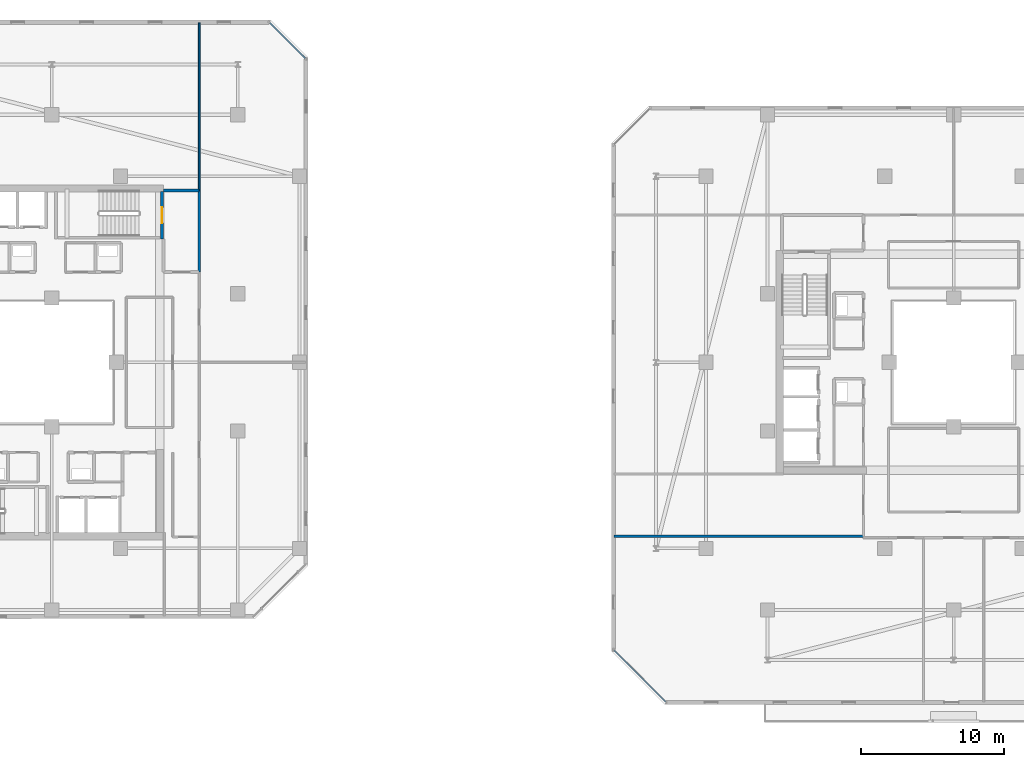
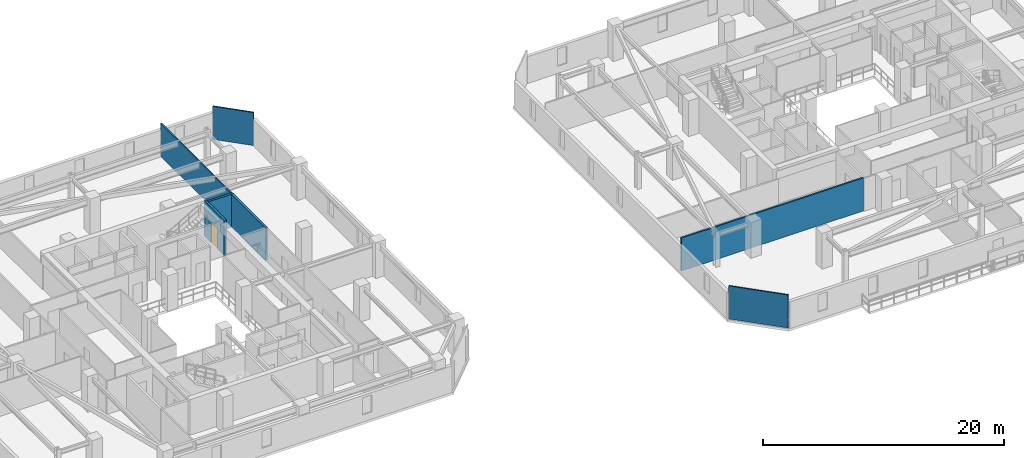
# One storey, part 22 of 33: 7 walls, 1 door, 1 opening.
"""IFC4 building model written with IfcOpenShell, lengths in metres."""

import ifcopenshell
import ifcopenshell.guid

model = None  # the IFC model being written
_history = None  # IfcOwnerHistory: only IFC2X3 demands one
_inside = {}  # id of a spatial element -> (the spatial element, [elements in it])
_under = {}  # id of a project, library or spatial element -> (it, [spatial elements below it])
_declared = {}  # id of a project -> (the project, [libraries it declares])
_typed = {}  # id of a type object -> (the type object, [elements of that type])
_made_of = {}  # id of a material, layer set ... -> (it, [elements and type objects made of it])


def new_model(schema):
    """Start an empty IFC model of exactly this schema.

    Asked for "IFC4X3", IfcOpenShell would pick the latest addendum, in which some entities
    have other attributes; the version numbers below select the first issue.
    IFC2X3 requires an IfcOwnerHistory on every rooted entity: one is made here for all.
    """
    global model, _history
    if schema == "IFC4X3":
        model = ifcopenshell.file(schema_version=(4, 3, 0, 0))
    else:
        model = ifcopenshell.file(schema=schema)
    _inside.clear()
    _under.clear()
    _declared.clear()
    _typed.clear()
    _made_of.clear()
    _history = None
    if model.schema == "IFC2X3":
        org = make("IfcOrganization", Name="unknown")
        user = make(
            "IfcPersonAndOrganization",
            ThePerson=make("IfcPerson", FamilyName="unknown"),
            TheOrganization=org,
        )
        app = make(
            "IfcApplication",
            ApplicationDeveloper=org,
            Version="unknown",
            ApplicationFullName="unknown",
            ApplicationIdentifier="unknown",
        )
        _history = make(
            "IfcOwnerHistory",
            OwningUser=user,
            OwningApplication=app,
            ChangeAction="ADDED",
            CreationDate=0,
        )
    return model


def make(cls, **values):
    """One entity of the class cls with the attributes given. An attribute that is None is left unset."""
    return model.create_entity(
        cls, **{name: value for name, value in values.items() if value is not None}
    )


def rooted(cls, **values):
    """An entity with a GlobalId (a new one), such as an element, a storey or a relation."""
    return make(cls, GlobalId=ifcopenshell.guid.new(), OwnerHistory=_history, **values)


def si_unit(unit_type, name, prefix=None):
    """IfcSIUnit, for example si_unit("LENGTHUNIT", "METRE", prefix="MILLI")."""
    return make("IfcSIUnit", UnitType=unit_type, Prefix=prefix, Name=name)


def assignment(units):
    """IfcUnitAssignment: the units of a project."""
    return None if units is None else make("IfcUnitAssignment", Units=units)


def point(xyz):
    """IfcCartesianPoint."""
    return None if xyz is None else make("IfcCartesianPoint", Coordinates=xyz)


def direction(xyz):
    """IfcDirection."""
    return None if xyz is None else make("IfcDirection", DirectionRatios=xyz)


def frame(location, z_axis=None, x_axis=None):
    """IfcAxis2Placement3D, a coordinate frame: its origin and axes. An axis left out is left unset."""
    return make(
        "IfcAxis2Placement3D",
        Location=point(location),
        Axis=direction(z_axis),
        RefDirection=direction(x_axis),
    )


def frame_2d(location, x_axis=None):
    """IfcAxis2Placement2D, a coordinate frame in the plane: its origin and x axis."""
    return make(
        "IfcAxis2Placement2D", Location=point(location), RefDirection=direction(x_axis)
    )


def origin():
    """The frame at (0, 0, 0) with its axes left unset."""
    return frame((0.0, 0.0, 0.0))


def place(relative_to, where):
    """IfcLocalPlacement: puts the frame where relative to a parent placement (None: the world)."""
    return make(
        "IfcLocalPlacement", PlacementRelTo=relative_to, RelativePlacement=where
    )


def context(
    kind, dimensions, precision=None, world=None, true_north=None, identifier=None
):
    """IfcGeometricRepresentationContext, for example the 3D "Model" context."""
    return make(
        "IfcGeometricRepresentationContext",
        ContextIdentifier=identifier,
        ContextType=kind,
        CoordinateSpaceDimension=dimensions,
        Precision=precision,
        WorldCoordinateSystem=world,
        TrueNorth=true_north,
    )


def subcontext(parent, identifier, kind, view, scale=None):
    """IfcGeometricRepresentationSubContext, for example "Body" below "Model"."""
    return make(
        "IfcGeometricRepresentationSubContext",
        ContextIdentifier=identifier,
        ContextType=kind,
        ParentContext=parent,
        TargetScale=scale,
        TargetView=view,
    )


def project(units=None, contexts=None):
    """IfcProject with its units and contexts."""
    return rooted(
        "IfcProject",
        Name="project",
        RepresentationContexts=contexts,
        UnitsInContext=assignment(units),
    )


def spatial(cls, under=None, at=None, **own):
    """A site, building, storey or space (cls), placed at a placement, below another one or the project."""
    s = rooted(cls, ObjectPlacement=at, **own)
    if under is not None:
        _under.setdefault(under.id(), (under, []))[1].append(s)
    return s


def profile(cls, at=None, kind="AREA", **sizes):
    """A parametric profile (cls). Its sizes go by their IFC names, for example OverallWidth=200.0."""
    return make(cls, ProfileType=kind, Position=at, **sizes)


def rectangle(**sizes):
    """IfcRectangleProfileDef."""
    return profile("IfcRectangleProfileDef", **sizes)


def extrude(swept, where, along, depth):
    """IfcExtrudedAreaSolid: the profile swept, set in the frame where, extruded along a direction by depth."""
    return make(
        "IfcExtrudedAreaSolid",
        SweptArea=swept,
        Position=where,
        ExtrudedDirection=direction(along),
        Depth=depth,
    )


def shape(context_of_items, identifier, shape_type, items):
    """IfcShapeRepresentation: the items that make up one representation, for example the "Body"."""
    return make(
        "IfcShapeRepresentation",
        ContextOfItems=context_of_items,
        RepresentationIdentifier=identifier,
        RepresentationType=shape_type,
        Items=items,
    )


def material(Name=None, Category=None):
    """IfcMaterial."""
    return make("IfcMaterial", Name=Name, Category=Category)


def layer(
    of_material, thickness, ventilated=None, Name=None, Category=None, Priority=None
):
    """IfcMaterialLayer: one layer of a wall or slab, of a material (None: an air gap)."""
    return make(
        "IfcMaterialLayer",
        Material=of_material,
        LayerThickness=thickness,
        IsVentilated=ventilated,
        Name=Name,
        Category=Category,
        Priority=Priority,
    )


def layer_set(layers, Name=None):
    """IfcMaterialLayerSet."""
    return make("IfcMaterialLayerSet", MaterialLayers=layers, LayerSetName=Name)


def made_of(thing, what):
    """Note that an element or type object is made of a material, layer set ...; save() writes the relation."""
    if what is not None:
        _made_of.setdefault(what.id(), (what, []))[1].append(thing)
    return thing


def type_object(cls, material=None, **own):
    """A type object (cls), such as IfcWallType, which elements share."""
    return made_of(rooted(cls, **own), material)


def element(
    cls,
    number,
    at=None,
    inside=None,
    cuts=None,
    type_object=None,
    material=None,
    context=None,
    identifier="Body",
    shape_type=None,
    held_by="IfcProductDefinitionShape",
    body=None,
    shapes=None,
    **own,
):
    """One element of the class cls, such as IfcWall. Its Tag is "e" and its number.

    at: its placement. inside: the storey or other place that contains it. cuts: it is an
    opening in that element (IfcRelVoidsElement). A single representation is given by context,
    identifier, shape_type and body (its items); several are given by shapes. held_by: the class
    of the entity that holds the representations. save() writes the other relations.
    """
    e = rooted(cls, Tag="e%d" % number, ObjectPlacement=at, **own)
    if body is not None:
        shapes = [shape(context, identifier, shape_type, body)]
    if shapes is not None:
        e.Representation = make(held_by, Representations=shapes)
    if inside is not None:
        _inside.setdefault(inside.id(), (inside, []))[1].append(e)
    if cuts is not None:
        rooted(
            "IfcRelVoidsElement", RelatingBuildingElement=cuts, RelatedOpeningElement=e
        )
    if type_object is not None:
        _typed.setdefault(type_object.id(), (type_object, []))[1].append(e)
    return made_of(e, material)


def fill(opening, filler):
    """IfcRelFillsElement: the door or window that sits in an opening."""
    return rooted(
        "IfcRelFillsElement",
        RelatingOpeningElement=opening,
        RelatedBuildingElement=filler,
    )


def aggregate(whole, parts):
    """IfcRelAggregates: a whole, such as a stair, and the parts it consists of."""
    return rooted("IfcRelAggregates", RelatingObject=whole, RelatedObjects=parts)


def save(model, path):
    """Write the relations noted so far, then the file.

    IfcRelAggregates (storeys below a building ...), IfcRelContainedInSpatialStructure (elements
    in a storey), IfcRelDefinesByType, IfcRelAssociatesMaterial and IfcRelDeclares: one each for
    every whole, place, type object, material and project.
    """
    for whole, parts in _under.values():
        aggregate(whole, parts)
    for where, things in _inside.values():
        rooted(
            "IfcRelContainedInSpatialStructure",
            RelatedElements=things,
            RelatingStructure=where,
        )
    for kind, things in _typed.values():
        rooted("IfcRelDefinesByType", RelatedObjects=things, RelatingType=kind)
    for what, things in _made_of.values():
        rooted("IfcRelAssociatesMaterial", RelatedObjects=things, RelatingMaterial=what)
    for by, libraries in _declared.values():
        rooted("IfcRelDeclares", RelatingContext=by, RelatedDefinitions=libraries)
    model.write(path)


model = new_model("IFC4")

# Units and contexts
model_context = context("Model", 3, precision=1e-05, world=origin(), true_north=direction((0.0, 1.0)))
body_context = subcontext(model_context, "Body", "Model", "MODEL_VIEW")
ifc_project = project(units=[si_unit("LENGTHUNIT", "METRE"), si_unit("AREAUNIT", "SQUARE_METRE"), si_unit("VOLUMEUNIT", "CUBIC_METRE"), si_unit("PLANEANGLEUNIT", "RADIAN"), si_unit("MASSUNIT", "GRAM", prefix="KILO")], contexts=[model_context])

# Site, building, storey
site_placement = place(None, origin())
site = spatial("IfcSite", under=ifc_project, at=site_placement, CompositionType="ELEMENT")
building_placement = place(site_placement, origin())
building = spatial("IfcBuilding", under=site, at=building_placement, Name="Thornwick Lancets Civic Towers", CompositionType="ELEMENT")
storey_placement = place(building_placement, frame((0.0, 0.0, 207.300048828125)))
storey = spatial("IfcBuildingStorey", under=building, at=storey_placement, Name="L55", CompositionType="ELEMENT", Elevation=207.300048828125)

# Walls
ifc_material_1 = material(Name="Concrete blockwork C40/50", Category="masonry")
ifc_layer_1 = layer(ifc_material_1, 0.199951171875, Name="Concrete blockwork C40/50")
ifc_layer_set_1 = layer_set([ifc_layer_1], Name="Concrete blockwork C40/50")
wall_type_1 = type_object("IfcWallType", Name="WALL_COMP_200", PredefinedType="STANDARD", material=ifc_layer_set_1)
wall_1_placement = place(storey_placement, frame((35.800048828125, 33.300048828125, 0.0), z_axis=(0.0, 0.0, 1.0), x_axis=(0.0, 1.0, 0.0)))
element("IfcWall", 1, at=wall_1_placement, inside=storey, type_object=wall_type_1, Name="L55 Partition L55-A-FFLOB2 E2", PredefinedType="STANDARD", context=body_context, shape_type="SweptSolid", body=[
    extrude(rectangle(XDim=5.699951171875, YDim=0.199951171875, at=frame_2d((2.85009765625, 0.0))), origin(), (0.0, 0.0, 1.0), 3.33984375),
])
wall_2_placement = place(storey_placement, frame((35.800048828125, 39.0, 0.0), z_axis=(0.0, 0.0, 1.0), x_axis=(-1.0, 0.0, 0.0)))
element("IfcWall", 2, at=wall_2_placement, inside=storey, type_object=wall_type_1, Name="L55 Partition L55-A-FFLOB2 E3", PredefinedType="STANDARD", context=body_context, shape_type="SweptSolid", body=[
    extrude(rectangle(XDim=2.5, YDim=0.199951171875, at=frame_2d((1.25, 0.0))), origin(), (0.0, 0.0, 1.0), 3.33984375),
])
ifc_material_2 = material(Name="Acoustic gypsum board partition")
ifc_layer_2 = layer(ifc_material_2, 0.1201171875, Name="Acoustic gypsum board partition")
ifc_layer_set_2 = layer_set([ifc_layer_2], Name="Acoustic gypsum board partition")
wall_type_2 = type_object("IfcWallType", Name="WALL_PART_120", PredefinedType="PARTITIONING", material=ifc_layer_set_2)
wall_3_placement = place(storey_placement, frame((35.800048828125, 39.0, 0.0), z_axis=(0.0, 0.0, 1.0), x_axis=(0.0, 1.0, 0.0)))
element("IfcWall", 3, at=wall_3_placement, inside=storey, type_object=wall_type_2, Name="L55 Partition L55-A-E2 E2", PredefinedType="PARTITIONING", context=body_context, shape_type="SweptSolid", body=[
    extrude(rectangle(XDim=11.719970703125, YDim=0.1201171875, at=frame_2d((5.85986328125, 0.0))), origin(), (0.0, 0.0, 1.0), 3.33984375),
])
wall_4_placement = place(storey_placement, frame((40.725341796875, 50.719970703125, 0.0), z_axis=(0.0, 0.0, 1.0), x_axis=(0.707106781187, -0.707106781187, 0.0)))
element("IfcWall", 4, at=wall_4_placement, inside=storey, type_object=wall_type_2, Name="L55 Partition L55-A-E2 E4", PredefinedType="PARTITIONING", context=body_context, shape_type="SweptSolid", body=[
    extrude(rectangle(XDim=3.52783203125, YDim=0.1201171875, at=frame_2d((1.763916015625, 0.0))), origin(), (0.0, 0.0, 1.0), 3.33984375),
])
wall_5_placement = place(storey_placement, frame((68.382568359375, 3.280029296875, 0.0), z_axis=(0.0, 0.0, 1.0), x_axis=(-0.707106781187, 0.707106781187, 0.0)))
element("IfcWall", 5, at=wall_5_placement, inside=storey, type_object=wall_type_2, Name="L55 Partition L55-B-W2B E2", PredefinedType="PARTITIONING", context=body_context, shape_type="SweptSolid", body=[
    extrude(rectangle(XDim=5.0947265625, YDim=0.1201171875, at=frame_2d((2.54736328125, 0.0))), origin(), (0.0, 0.0, 1.0), 3.33984375),
])
ifc_material_3 = material(Name="Twin-stud acoustic gypsum board")
ifc_layer_3 = layer(ifc_material_3, 0.14990234375, Name="Twin-stud acoustic gypsum board")
ifc_layer_set_3 = layer_set([ifc_layer_3], Name="Twin-stud acoustic gypsum board")
wall_type_3 = type_object("IfcWallType", Name="WALL_PART_150", PredefinedType="PARTITIONING", material=ifc_layer_set_3)
wall_6_placement = place(storey_placement, frame((82.199951171875, 14.85009765625, 0.0), z_axis=(0.0, 0.0, 1.0), x_axis=(-1.0, 0.0, 0.0)))
element("IfcWall", 6, at=wall_6_placement, inside=storey, type_object=wall_type_3, Name="L55 Partition L55-B-RECLAIM-M1 E1", PredefinedType="PARTITIONING", context=body_context, shape_type="SweptSolid", body=[
    extrude(rectangle(XDim=17.419921875, YDim=0.14990234375, at=frame_2d((8.7099609375, 0.0))), origin(), (0.0, 0.0, 1.0), 3.33984375),
])

# Wall, opening, door
ifc_material_4 = material(Name="Concrete C40/50", Category="concrete")
ifc_layer_4 = layer(ifc_material_4, 0.199951171875, Name="Concrete C40/50")
ifc_layer_set_4 = layer_set([ifc_layer_4], Name="Concrete C40/50")
wall_type_4 = type_object("IfcWallType", Name="WALL_SHAFT_200", PredefinedType="SHEAR", material=ifc_layer_set_4)
wall_7_placement = place(storey_placement, frame((33.199951171875, 38.949951171875, 0.0), z_axis=(0.0, 0.0, 1.0), x_axis=(0.0, -1.0, 0.0)))
wall_7 = element("IfcWall", 7, at=wall_7_placement, inside=storey, type_object=wall_type_4, Name="L55 ST-A2 Fire Stair Core Wall NEAR", PredefinedType="SHEAR", context=body_context, shape_type="SweptSolid", body=[
    extrude(rectangle(XDim=3.349853515625, YDim=0.199951171875, at=frame_2d((1.6748046875, 0.0))), origin(), (0.0, 0.0, 1.0), 3.599853515625),
])
opening_placement = place(wall_7_placement, frame((1.125, 0.0, 0.0)))
opening = element("IfcOpeningElement", 8, at=opening_placement, cuts=wall_7, Name="Opening D-ST-A2-L55", PredefinedType="OPENING", context=body_context, shape_type="SweptSolid", body=[
    extrude(rectangle(XDim=1.10009765625, YDim=2.10009765625, at=frame_2d((0.550048828125, 1.050048828125))), frame((0.0, 0.10986328125, 0.0), z_axis=(0.0, -1.0, 0.0), x_axis=(1.0, 0.0, 0.0)), (0.0, 0.0, 1.0), 0.219970703125),
])
ifc_material_5 = material(Name="Fire-resisting steel and hardwood", Category="steel")
door_type = type_object("IfcDoorType", Name="DOOR_STAIR_FD60", OperationType="NOTDEFINED", PredefinedType="DOOR", material=ifc_material_5)
door_placement = place(opening_placement, origin())
door = element("IfcDoor", 9, at=door_placement, inside=storey, type_object=door_type, Name="L55 ST-A2 Exit Stair Door", OperationType="SINGLE_SWING_LEFT", OverallHeight=2.10009765625, OverallWidth=1.10009765625, PredefinedType="DOOR", context=body_context, shape_type="SweptSolid", body=[
    extrude(rectangle(XDim=1.10009765625, YDim=2.10009765625, at=frame_2d((0.550048828125, 1.050048828125))), frame((0.0, 0.02490234375, 0.0), z_axis=(0.0, -1.0, 0.0), x_axis=(1.0, 0.0, 0.0)), (0.0, 0.0, 1.0), 0.050048828125),
])
fill(opening, door)

save(model, "model.ifc")
